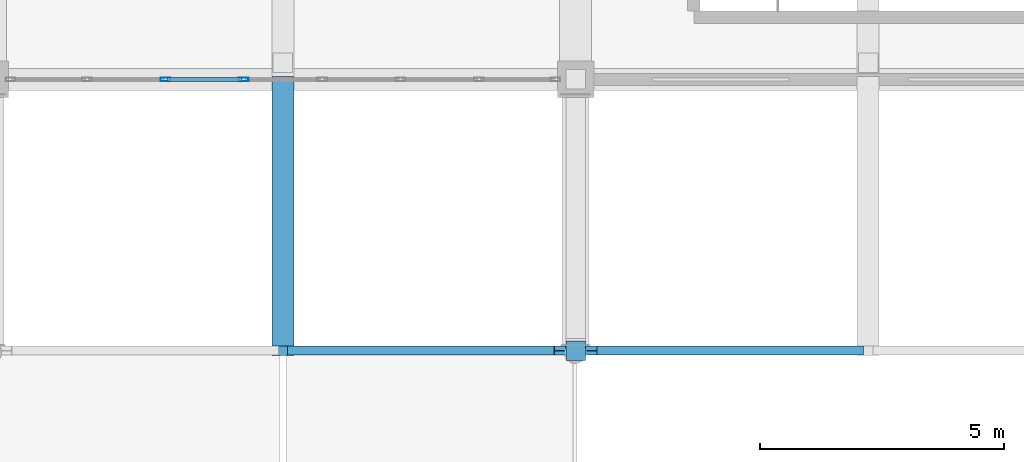
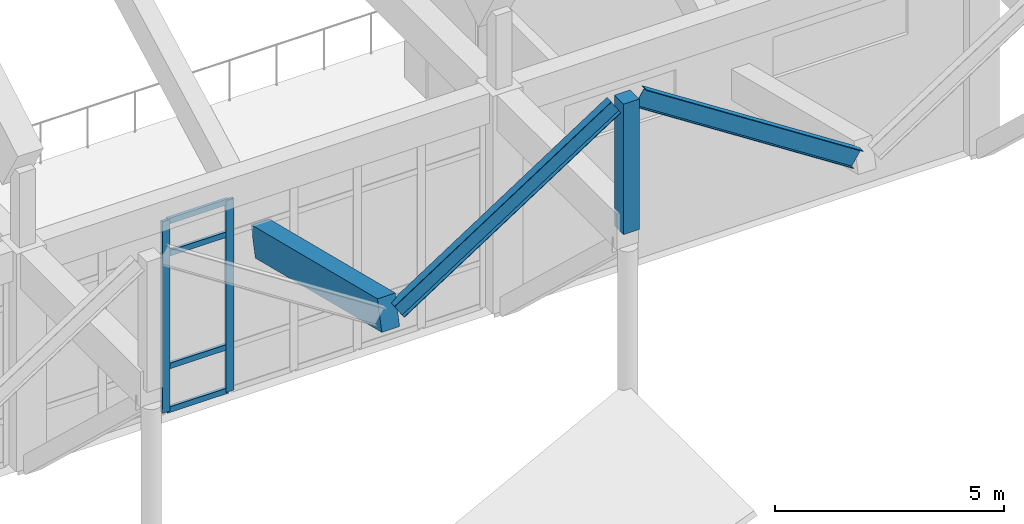
# One storey, part 57 of 236: 7 members, 3 beams, 1 element without a shape of its own.
"""IFC4 building model written with IfcOpenShell, lengths in metres."""

import ifcopenshell
import ifcopenshell.guid

model = None  # the IFC model being written
_history = None  # IfcOwnerHistory: only IFC2X3 demands one
_inside = {}  # id of a spatial element -> (the spatial element, [elements in it])
_under = {}  # id of a project, library or spatial element -> (it, [spatial elements below it])
_declared = {}  # id of a project -> (the project, [libraries it declares])
_typed = {}  # id of a type object -> (the type object, [elements of that type])
_made_of = {}  # id of a material, layer set ... -> (it, [elements and type objects made of it])


def new_model(schema):
    """Start an empty IFC model of exactly this schema.

    Asked for "IFC4X3", IfcOpenShell would pick the latest addendum, in which some entities
    have other attributes; the version numbers below select the first issue.
    IFC2X3 requires an IfcOwnerHistory on every rooted entity: one is made here for all.
    """
    global model, _history
    if schema == "IFC4X3":
        model = ifcopenshell.file(schema_version=(4, 3, 0, 0))
    else:
        model = ifcopenshell.file(schema=schema)
    _inside.clear()
    _under.clear()
    _declared.clear()
    _typed.clear()
    _made_of.clear()
    _history = None
    if model.schema == "IFC2X3":
        org = make("IfcOrganization", Name="unknown")
        user = make(
            "IfcPersonAndOrganization",
            ThePerson=make("IfcPerson", FamilyName="unknown"),
            TheOrganization=org,
        )
        app = make(
            "IfcApplication",
            ApplicationDeveloper=org,
            Version="unknown",
            ApplicationFullName="unknown",
            ApplicationIdentifier="unknown",
        )
        _history = make(
            "IfcOwnerHistory",
            OwningUser=user,
            OwningApplication=app,
            ChangeAction="ADDED",
            CreationDate=0,
        )
    return model


def make(cls, **values):
    """One entity of the class cls with the attributes given. An attribute that is None is left unset."""
    return model.create_entity(
        cls, **{name: value for name, value in values.items() if value is not None}
    )


def rooted(cls, **values):
    """An entity with a GlobalId (a new one), such as an element, a storey or a relation."""
    return make(cls, GlobalId=ifcopenshell.guid.new(), OwnerHistory=_history, **values)


def si_unit(unit_type, name, prefix=None):
    """IfcSIUnit, for example si_unit("LENGTHUNIT", "METRE", prefix="MILLI")."""
    return make("IfcSIUnit", UnitType=unit_type, Prefix=prefix, Name=name)


def assignment(units):
    """IfcUnitAssignment: the units of a project."""
    return None if units is None else make("IfcUnitAssignment", Units=units)


def point(xyz):
    """IfcCartesianPoint."""
    return None if xyz is None else make("IfcCartesianPoint", Coordinates=xyz)


def direction(xyz):
    """IfcDirection."""
    return None if xyz is None else make("IfcDirection", DirectionRatios=xyz)


def frame(location, z_axis=None, x_axis=None):
    """IfcAxis2Placement3D, a coordinate frame: its origin and axes. An axis left out is left unset."""
    return make(
        "IfcAxis2Placement3D",
        Location=point(location),
        Axis=direction(z_axis),
        RefDirection=direction(x_axis),
    )


def frame_2d(location, x_axis=None):
    """IfcAxis2Placement2D, a coordinate frame in the plane: its origin and x axis."""
    return make(
        "IfcAxis2Placement2D", Location=point(location), RefDirection=direction(x_axis)
    )


def origin():
    """The frame at (0, 0, 0) with its axes left unset."""
    return frame((0.0, 0.0, 0.0))


def origin_2d():
    """The frame at (0, 0) in the plane with its x axis left unset."""
    return frame_2d((0.0, 0.0))


def place(relative_to, where):
    """IfcLocalPlacement: puts the frame where relative to a parent placement (None: the world)."""
    return make(
        "IfcLocalPlacement", PlacementRelTo=relative_to, RelativePlacement=where
    )


def context(
    kind, dimensions, precision=None, world=None, true_north=None, identifier=None
):
    """IfcGeometricRepresentationContext, for example the 3D "Model" context."""
    return make(
        "IfcGeometricRepresentationContext",
        ContextIdentifier=identifier,
        ContextType=kind,
        CoordinateSpaceDimension=dimensions,
        Precision=precision,
        WorldCoordinateSystem=world,
        TrueNorth=true_north,
    )


def subcontext(parent, identifier, kind, view, scale=None):
    """IfcGeometricRepresentationSubContext, for example "Body" below "Model"."""
    return make(
        "IfcGeometricRepresentationSubContext",
        ContextIdentifier=identifier,
        ContextType=kind,
        ParentContext=parent,
        TargetScale=scale,
        TargetView=view,
    )


def project(units=None, contexts=None):
    """IfcProject with its units and contexts."""
    return rooted(
        "IfcProject",
        Name="project",
        RepresentationContexts=contexts,
        UnitsInContext=assignment(units),
    )


def spatial(cls, under=None, at=None, **own):
    """A site, building, storey or space (cls), placed at a placement, below another one or the project."""
    s = rooted(cls, ObjectPlacement=at, **own)
    if under is not None:
        _under.setdefault(under.id(), (under, []))[1].append(s)
    return s


def profile(cls, at=None, kind="AREA", **sizes):
    """A parametric profile (cls). Its sizes go by their IFC names, for example OverallWidth=200.0."""
    return make(cls, ProfileType=kind, Position=at, **sizes)


def rectangle(**sizes):
    """IfcRectangleProfileDef."""
    return profile("IfcRectangleProfileDef", **sizes)


def hollow_rectangle(**sizes):
    """IfcRectangleHollowProfileDef."""
    return profile("IfcRectangleHollowProfileDef", **sizes)


def i_section(**sizes):
    """IfcIShapeProfileDef."""
    return profile("IfcIShapeProfileDef", **sizes)


def extrude(swept, where, along, depth):
    """IfcExtrudedAreaSolid: the profile swept, set in the frame where, extruded along a direction by depth."""
    return make(
        "IfcExtrudedAreaSolid",
        SweptArea=swept,
        Position=where,
        ExtrudedDirection=direction(along),
        Depth=depth,
    )


def shape(context_of_items, identifier, shape_type, items):
    """IfcShapeRepresentation: the items that make up one representation, for example the "Body"."""
    return make(
        "IfcShapeRepresentation",
        ContextOfItems=context_of_items,
        RepresentationIdentifier=identifier,
        RepresentationType=shape_type,
        Items=items,
    )


def material(Name=None, Category=None):
    """IfcMaterial."""
    return make("IfcMaterial", Name=Name, Category=Category)


def layer(
    of_material, thickness, ventilated=None, Name=None, Category=None, Priority=None
):
    """IfcMaterialLayer: one layer of a wall or slab, of a material (None: an air gap)."""
    return make(
        "IfcMaterialLayer",
        Material=of_material,
        LayerThickness=thickness,
        IsVentilated=ventilated,
        Name=Name,
        Category=Category,
        Priority=Priority,
    )


def layer_set(layers, Name=None):
    """IfcMaterialLayerSet."""
    return make("IfcMaterialLayerSet", MaterialLayers=layers, LayerSetName=Name)


def material_profile(
    of_material, cross_section, Name=None, Category=None, Priority=None
):
    """IfcMaterialProfile: a cross section and its material."""
    return make(
        "IfcMaterialProfile",
        Name=Name,
        Material=of_material,
        Profile=cross_section,
        Priority=Priority,
        Category=Category,
    )


def profile_set(profiles, Name=None, composite=None):
    """IfcMaterialProfileSet."""
    return make(
        "IfcMaterialProfileSet",
        Name=Name,
        MaterialProfiles=profiles,
        CompositeProfile=composite,
    )


def made_of(thing, what):
    """Note that an element or type object is made of a material, layer set ...; save() writes the relation."""
    if what is not None:
        _made_of.setdefault(what.id(), (what, []))[1].append(thing)
    return thing


def type_object(cls, material=None, **own):
    """A type object (cls), such as IfcWallType, which elements share."""
    return made_of(rooted(cls, **own), material)


def element(
    cls,
    number,
    at=None,
    inside=None,
    cuts=None,
    type_object=None,
    material=None,
    context=None,
    identifier="Body",
    shape_type=None,
    held_by="IfcProductDefinitionShape",
    body=None,
    shapes=None,
    **own,
):
    """One element of the class cls, such as IfcWall. Its Tag is "e" and its number.

    at: its placement. inside: the storey or other place that contains it. cuts: it is an
    opening in that element (IfcRelVoidsElement). A single representation is given by context,
    identifier, shape_type and body (its items); several are given by shapes. held_by: the class
    of the entity that holds the representations. save() writes the other relations.
    """
    e = rooted(cls, Tag="e%d" % number, ObjectPlacement=at, **own)
    if body is not None:
        shapes = [shape(context, identifier, shape_type, body)]
    if shapes is not None:
        e.Representation = make(held_by, Representations=shapes)
    if inside is not None:
        _inside.setdefault(inside.id(), (inside, []))[1].append(e)
    if cuts is not None:
        rooted(
            "IfcRelVoidsElement", RelatingBuildingElement=cuts, RelatedOpeningElement=e
        )
    if type_object is not None:
        _typed.setdefault(type_object.id(), (type_object, []))[1].append(e)
    return made_of(e, material)


def aggregate(whole, parts):
    """IfcRelAggregates: a whole, such as a stair, and the parts it consists of."""
    return rooted("IfcRelAggregates", RelatingObject=whole, RelatedObjects=parts)


def save(model, path):
    """Write the relations noted so far, then the file.

    IfcRelAggregates (storeys below a building ...), IfcRelContainedInSpatialStructure (elements
    in a storey), IfcRelDefinesByType, IfcRelAssociatesMaterial and IfcRelDeclares: one each for
    every whole, place, type object, material and project.
    """
    for whole, parts in _under.values():
        aggregate(whole, parts)
    for where, things in _inside.values():
        rooted(
            "IfcRelContainedInSpatialStructure",
            RelatedElements=things,
            RelatingStructure=where,
        )
    for kind, things in _typed.values():
        rooted("IfcRelDefinesByType", RelatedObjects=things, RelatingType=kind)
    for what, things in _made_of.values():
        rooted("IfcRelAssociatesMaterial", RelatedObjects=things, RelatingMaterial=what)
    for by, libraries in _declared.values():
        rooted("IfcRelDeclares", RelatingContext=by, RelatedDefinitions=libraries)
    model.write(path)


model = new_model("IFC4")

# Units and contexts
model_context = context("Model", 3, precision=1e-05, world=origin(), true_north=direction((0.0, 1.0)))
body_context = subcontext(model_context, "Body", "Model", "MODEL_VIEW")
ifc_project = project(units=[si_unit("LENGTHUNIT", "METRE"), si_unit("AREAUNIT", "SQUARE_METRE"), si_unit("VOLUMEUNIT", "CUBIC_METRE"), si_unit("PLANEANGLEUNIT", "RADIAN"), si_unit("MASSUNIT", "GRAM", prefix="KILO")], contexts=[model_context])

# Site, building, storey
site_placement = place(None, origin())
site = spatial("IfcSite", under=ifc_project, at=site_placement, CompositionType="ELEMENT")
building_placement = place(site_placement, origin())
building = spatial("IfcBuilding", under=site, at=building_placement, Name="Pandanus Reach Market Hall", CompositionType="ELEMENT")
storey_placement = place(building_placement, frame((0.0, 0.0, 5.39990234375)))
storey = spatial("IfcBuildingStorey", under=building, at=storey_placement, Name="L01", CompositionType="ELEMENT", Elevation=5.39990234375)

# Member
ifc_material_1 = material(Name="Concrete N50 (50 MPa)", Category="concrete")
ifc_material_profile_1 = material_profile(ifc_material_1, rectangle(XDim=0.39990234375, YDim=0.39990234375, at=origin_2d()), Name="RC400x400", Category="LoadBearing")
ifc_profile_set_1 = profile_set([ifc_material_profile_1], Name="Concrete N50 (50 MPa)")
member_type_1 = type_object("IfcMemberType", Name="AR-WEB400-E", PredefinedType="STRUT", material=ifc_profile_set_1)
member_1_placement = place(storey_placement, frame((120.0, 23.239990234375, 5.3251953125), z_axis=(0.0, 0.0, 1.0), x_axis=(1.0, 0.0, 0.0)))
element("IfcMember", 1, at=member_1_placement, inside=storey, type_object=member_type_1, Name="Zigzag eaves ridge post A7.S", PredefinedType="STRUT", context=body_context, shape_type="SweptSolid", body=[
    extrude(rectangle(XDim=0.39990234375, YDim=0.39990234375, at=origin_2d()), origin(), (0.0, 0.0, 1.0), 3.474853515625),
])

# Beams
ifc_material_2 = material(Name="Concrete N40 (40 MPa)", Category="concrete")
ifc_material_profile_2 = material_profile(ifc_material_2, rectangle(XDim=0.449951171875, YDim=0.800048828125, at=origin_2d()), Name="RC450x800", Category="LoadBearing")
ifc_profile_set_2 = profile_set([ifc_material_profile_2], Name="Concrete N40 (40 MPa)")
beam_type_1 = type_object("IfcBeamType", Name="BM-RC450-I", PredefinedType="BEAM", material=ifc_profile_set_2)
beam_placement = place(storey_placement, frame((114.0, 23.239990234375, 5.16015625), z_axis=(0.0, 0.97055017704, -0.240899053231), x_axis=(-1.0, 0.0, 0.0)))
element("IfcBeam", 2, at=beam_placement, inside=storey, type_object=beam_type_1, Name="Butterfly valley beam B6.1", PredefinedType="BEAM", context=body_context, shape_type="SweptSolid", body=[
    extrude(rectangle(XDim=0.449951171875, YDim=0.800048828125, at=origin_2d()), origin(), (0.0, 0.0, 1.0), 5.6875),
])
ifc_material_3 = material(Name="Steel Grade 350 (350 MPa)", Category="steel")
ifc_material_profile_3 = material_profile(ifc_material_3, i_section(OverallWidth=0.18994140625, OverallDepth=0.45703125, WebThickness=0.009033203125, FlangeThickness=0.014404296875, at=origin_2d()), Name="460UB74.6", Category="LoadBearing")
ifc_profile_set_3 = profile_set([ifc_material_profile_3], Name="Steel Grade 350 (350 MPa)")
beam_type_2 = type_object("IfcBeamType", Name="BM-UB460-E", PredefinedType="BEAM", material=ifc_profile_set_3)
for number, where, z_axis, x_axis, name in (
    (3, (114.219970703125, 23.239990234375, 5.16015625), (0.839070527962, 0.0, 0.544022654956), (0.0, 1.0, 0.0), "Butterfly south fringe rib B6.0R"),
    (4, (120.320068359375, 23.239990234375, 8.7001953125), (0.839070527962, 0.0, -0.544022654956), (0.0, 1.0, 0.0), "Butterfly south fringe rib B7.0L"),
):
    element("IfcBeam", number, at=place(storey_placement, frame(where, z_axis=z_axis, x_axis=x_axis)), inside=storey, type_object=beam_type_2, Name=name, PredefinedType="BEAM", context=body_context, shape_type="SweptSolid", body=[
        extrude(i_section(OverallWidth=0.18994140625, OverallDepth=0.45703125, WebThickness=0.009033203125, FlangeThickness=0.014404296875, at=origin_2d()), origin(), (0.0, 0.0, 1.0), 6.507080078125),
    ])

# Curtain wall, members
ifc_material_4 = material(Name="Bronze anodised aluminium and low-E glass", Category="aluminium")
ifc_layer = layer(ifc_material_4, 0.199951171875, Name="CW-02")
ifc_layer_set = layer_set([ifc_layer], Name="Bronze anodised aluminium and low-E glass")
curtain_wall_type = type_object("IfcCurtainWallType", Name="CW-02", PredefinedType="NOTDEFINED", material=ifc_layer_set)
curtain_wall_placement = place(storey_placement, origin())
curtain_wall = element("IfcCurtainWall", 5, at=curtain_wall_placement, inside=storey, type_object=curtain_wall_type, Name="Glazed curtain wall CW-02 CW-0008", PredefinedType="NOTDEFINED")
ifc_material_5 = material(Name="Bronze anodised aluminium", Category="aluminium")
ifc_material_profile_4 = material_profile(ifc_material_5, hollow_rectangle(XDim=0.074951171875, YDim=0.199951171875, WallThickness=0.00439453125, at=origin_2d()), Name="ALU75x200", Category="LoadBearing")
ifc_profile_set_4 = profile_set([ifc_material_profile_4], Name="Bronze anodised aluminium")
member_type_2 = type_object("IfcMemberType", Name="CW-M2", PredefinedType="MULLION", material=ifc_profile_set_4)
member_2_placement = place(storey_placement, frame((111.58935546875, 28.800048828125, 0.0), z_axis=(0.0, 0.0, 1.0), x_axis=(0.0, 1.0, 0.0)))
member_2 = element("IfcMember", 6, at=member_2_placement, type_object=member_type_2, Name="CW-02 mullion 3", PredefinedType="MULLION", context=body_context, shape_type="SweptSolid", body=[
    extrude(hollow_rectangle(XDim=0.074951171875, YDim=0.199951171875, WallThickness=0.00439453125, at=origin_2d()), origin(), (0.0, 0.0, 1.0), 5.10009765625),
])
member_3_placement = place(storey_placement, frame((113.196533203125, 28.800048828125, 0.0), z_axis=(0.0, 0.0, 1.0), x_axis=(0.0, 1.0, 0.0)))
member_3 = element("IfcMember", 7, at=member_3_placement, type_object=member_type_2, Name="CW-02 mullion 4", PredefinedType="MULLION", context=body_context, shape_type="SweptSolid", body=[
    extrude(hollow_rectangle(XDim=0.074951171875, YDim=0.199951171875, WallThickness=0.00439453125, at=origin_2d()), origin(), (0.0, 0.0, 1.0), 5.10009765625),
])
ifc_material_profile_5 = material_profile(ifc_material_5, hollow_rectangle(XDim=0.074951171875, YDim=0.14990234375, WallThickness=0.00439453125, at=origin_2d()), Name="ALU75x150", Category="LoadBearing")
ifc_profile_set_5 = profile_set([ifc_material_profile_5], Name="Bronze anodised aluminium")
member_type_3 = type_object("IfcMemberType", Name="CW-T2", PredefinedType="USERDEFINED", material=ifc_profile_set_5)
member_4_placement = place(storey_placement, frame((111.626708984375, 28.800048828125, 0.03759765625), z_axis=(1.0, 0.0, 0.0), x_axis=(0.0, 1.0, 0.0)))
member_4 = element("IfcMember", 8, at=member_4_placement, type_object=member_type_3, Name="CW-02 transom 3.1", ObjectType="TRANSOM", PredefinedType="USERDEFINED", context=body_context, shape_type="SweptSolid", body=[
    extrude(hollow_rectangle(XDim=0.074951171875, YDim=0.14990234375, WallThickness=0.00439453125, at=origin_2d()), origin(), (0.0, 0.0, 1.0), 1.5322265625),
])
member_5_placement = place(storey_placement, frame((111.626708984375, 28.800048828125, 1.2001953125), z_axis=(1.0, 0.0, 0.0), x_axis=(0.0, 1.0, 0.0)))
member_5 = element("IfcMember", 9, at=member_5_placement, type_object=member_type_3, Name="CW-02 transom 3.2", ObjectType="TRANSOM", PredefinedType="USERDEFINED", context=body_context, shape_type="SweptSolid", body=[
    extrude(hollow_rectangle(XDim=0.074951171875, YDim=0.14990234375, WallThickness=0.00439453125, at=origin_2d()), origin(), (0.0, 0.0, 1.0), 1.5322265625),
])
member_6_placement = place(storey_placement, frame((111.626708984375, 28.800048828125, 4.2001953125), z_axis=(1.0, 0.0, 0.0), x_axis=(0.0, 1.0, 0.0)))
member_6 = element("IfcMember", 10, at=member_6_placement, type_object=member_type_3, Name="CW-02 transom 3.3", ObjectType="TRANSOM", PredefinedType="USERDEFINED", context=body_context, shape_type="SweptSolid", body=[
    extrude(hollow_rectangle(XDim=0.074951171875, YDim=0.14990234375, WallThickness=0.00439453125, at=origin_2d()), origin(), (0.0, 0.0, 1.0), 1.5322265625),
])
member_7_placement = place(storey_placement, frame((111.626708984375, 28.800048828125, 5.0625), z_axis=(1.0, 0.0, 0.0), x_axis=(0.0, 1.0, 0.0)))
member_7 = element("IfcMember", 11, at=member_7_placement, type_object=member_type_3, Name="CW-02 transom 3.4", ObjectType="TRANSOM", PredefinedType="USERDEFINED", context=body_context, shape_type="SweptSolid", body=[
    extrude(hollow_rectangle(XDim=0.074951171875, YDim=0.14990234375, WallThickness=0.00439453125, at=origin_2d()), origin(), (0.0, 0.0, 1.0), 1.5322265625),
])
aggregate(curtain_wall, [member_2, member_3, member_4, member_5, member_6, member_7])

save(model, "model.ifc")
